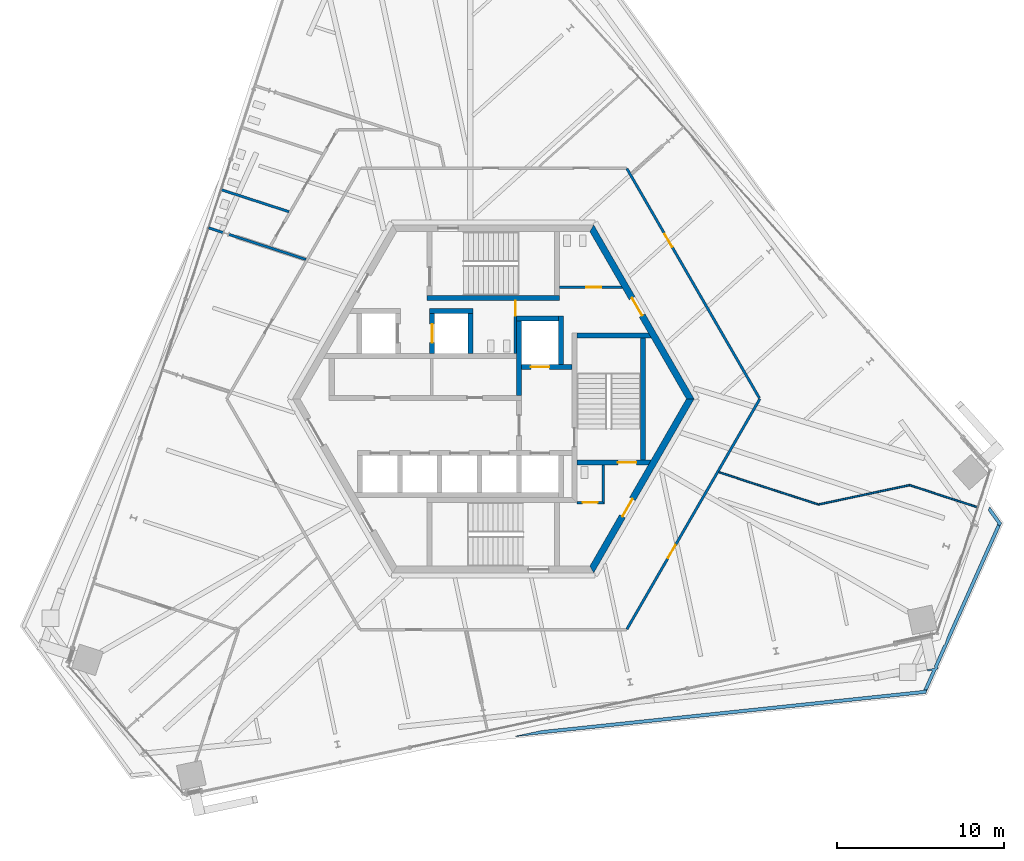
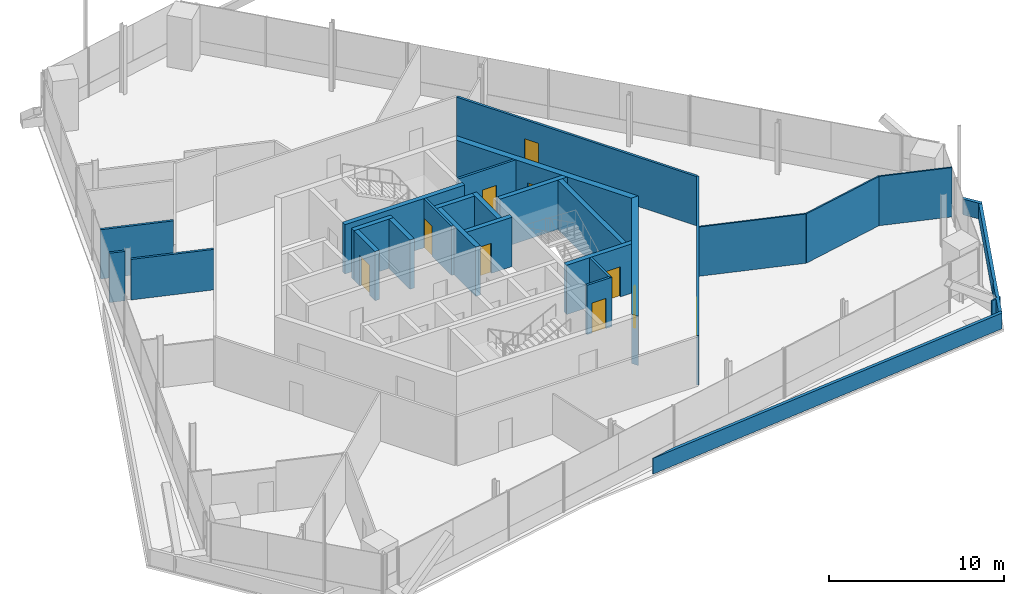
# One storey, part 15 of 20: 28 walls, 10 doors, 10 openings.
"""IFC4 building model written with IfcOpenShell, lengths in metres."""

import ifcopenshell
import ifcopenshell.guid

model = None  # the IFC model being written
_history = None  # IfcOwnerHistory: only IFC2X3 demands one
_inside = {}  # id of a spatial element -> (the spatial element, [elements in it])
_under = {}  # id of a project, library or spatial element -> (it, [spatial elements below it])
_declared = {}  # id of a project -> (the project, [libraries it declares])
_typed = {}  # id of a type object -> (the type object, [elements of that type])
_made_of = {}  # id of a material, layer set ... -> (it, [elements and type objects made of it])


def new_model(schema):
    """Start an empty IFC model of exactly this schema.

    Asked for "IFC4X3", IfcOpenShell would pick the latest addendum, in which some entities
    have other attributes; the version numbers below select the first issue.
    IFC2X3 requires an IfcOwnerHistory on every rooted entity: one is made here for all.
    """
    global model, _history
    if schema == "IFC4X3":
        model = ifcopenshell.file(schema_version=(4, 3, 0, 0))
    else:
        model = ifcopenshell.file(schema=schema)
    _inside.clear()
    _under.clear()
    _declared.clear()
    _typed.clear()
    _made_of.clear()
    _history = None
    if model.schema == "IFC2X3":
        org = make("IfcOrganization", Name="unknown")
        user = make(
            "IfcPersonAndOrganization",
            ThePerson=make("IfcPerson", FamilyName="unknown"),
            TheOrganization=org,
        )
        app = make(
            "IfcApplication",
            ApplicationDeveloper=org,
            Version="unknown",
            ApplicationFullName="unknown",
            ApplicationIdentifier="unknown",
        )
        _history = make(
            "IfcOwnerHistory",
            OwningUser=user,
            OwningApplication=app,
            ChangeAction="ADDED",
            CreationDate=0,
        )
    return model


def make(cls, **values):
    """One entity of the class cls with the attributes given. An attribute that is None is left unset."""
    return model.create_entity(
        cls, **{name: value for name, value in values.items() if value is not None}
    )


def rooted(cls, **values):
    """An entity with a GlobalId (a new one), such as an element, a storey or a relation."""
    return make(cls, GlobalId=ifcopenshell.guid.new(), OwnerHistory=_history, **values)


def si_unit(unit_type, name, prefix=None):
    """IfcSIUnit, for example si_unit("LENGTHUNIT", "METRE", prefix="MILLI")."""
    return make("IfcSIUnit", UnitType=unit_type, Prefix=prefix, Name=name)


def assignment(units):
    """IfcUnitAssignment: the units of a project."""
    return None if units is None else make("IfcUnitAssignment", Units=units)


def point(xyz):
    """IfcCartesianPoint."""
    return None if xyz is None else make("IfcCartesianPoint", Coordinates=xyz)


def direction(xyz):
    """IfcDirection."""
    return None if xyz is None else make("IfcDirection", DirectionRatios=xyz)


def frame(location, z_axis=None, x_axis=None):
    """IfcAxis2Placement3D, a coordinate frame: its origin and axes. An axis left out is left unset."""
    return make(
        "IfcAxis2Placement3D",
        Location=point(location),
        Axis=direction(z_axis),
        RefDirection=direction(x_axis),
    )


def frame_2d(location, x_axis=None):
    """IfcAxis2Placement2D, a coordinate frame in the plane: its origin and x axis."""
    return make(
        "IfcAxis2Placement2D", Location=point(location), RefDirection=direction(x_axis)
    )


def origin():
    """The frame at (0, 0, 0) with its axes left unset."""
    return frame((0.0, 0.0, 0.0))


def place(relative_to, where):
    """IfcLocalPlacement: puts the frame where relative to a parent placement (None: the world)."""
    return make(
        "IfcLocalPlacement", PlacementRelTo=relative_to, RelativePlacement=where
    )


def context(
    kind, dimensions, precision=None, world=None, true_north=None, identifier=None
):
    """IfcGeometricRepresentationContext, for example the 3D "Model" context."""
    return make(
        "IfcGeometricRepresentationContext",
        ContextIdentifier=identifier,
        ContextType=kind,
        CoordinateSpaceDimension=dimensions,
        Precision=precision,
        WorldCoordinateSystem=world,
        TrueNorth=true_north,
    )


def subcontext(parent, identifier, kind, view, scale=None):
    """IfcGeometricRepresentationSubContext, for example "Body" below "Model"."""
    return make(
        "IfcGeometricRepresentationSubContext",
        ContextIdentifier=identifier,
        ContextType=kind,
        ParentContext=parent,
        TargetScale=scale,
        TargetView=view,
    )


def project(units=None, contexts=None):
    """IfcProject with its units and contexts."""
    return rooted(
        "IfcProject",
        Name="project",
        RepresentationContexts=contexts,
        UnitsInContext=assignment(units),
    )


def spatial(cls, under=None, at=None, **own):
    """A site, building, storey or space (cls), placed at a placement, below another one or the project."""
    s = rooted(cls, ObjectPlacement=at, **own)
    if under is not None:
        _under.setdefault(under.id(), (under, []))[1].append(s)
    return s


def polyline(points):
    """IfcPolyline through the points."""
    return make("IfcPolyline", Points=[point(p) for p in points])


def profile(cls, at=None, kind="AREA", **sizes):
    """A parametric profile (cls). Its sizes go by their IFC names, for example OverallWidth=200.0."""
    return make(cls, ProfileType=kind, Position=at, **sizes)


def rectangle(**sizes):
    """IfcRectangleProfileDef."""
    return profile("IfcRectangleProfileDef", **sizes)


def outline(outer, holes=None, kind="AREA"):
    """IfcArbitraryClosedProfileDef: a profile drawn as a closed curve; with holes, ...WithVoids."""
    if holes is None:
        return make("IfcArbitraryClosedProfileDef", ProfileType=kind, OuterCurve=outer)
    return make(
        "IfcArbitraryProfileDefWithVoids",
        ProfileType=kind,
        OuterCurve=outer,
        InnerCurves=holes,
    )


def extrude(swept, where, along, depth):
    """IfcExtrudedAreaSolid: the profile swept, set in the frame where, extruded along a direction by depth."""
    return make(
        "IfcExtrudedAreaSolid",
        SweptArea=swept,
        Position=where,
        ExtrudedDirection=direction(along),
        Depth=depth,
    )


def shape(context_of_items, identifier, shape_type, items):
    """IfcShapeRepresentation: the items that make up one representation, for example the "Body"."""
    return make(
        "IfcShapeRepresentation",
        ContextOfItems=context_of_items,
        RepresentationIdentifier=identifier,
        RepresentationType=shape_type,
        Items=items,
    )


def source(mapping_origin, context_of_items, identifier, shape_type, items):
    """IfcRepresentationMap: a shape defined once, which mapped items show again and again."""
    return make(
        "IfcRepresentationMap",
        MappingOrigin=mapping_origin,
        MappedRepresentation=shape(context_of_items, identifier, shape_type, items),
    )


def transform(
    local_origin,
    x_axis=None,
    y_axis=None,
    z_axis=None,
    scale=None,
    scale2=None,
    scale3=None,
    uniform=True,
):
    """IfcCartesianTransformationOperator3D, or its non-uniform kind. x_axis, y_axis, z_axis: its Axis1, 2, 3."""
    if uniform:
        return make(
            "IfcCartesianTransformationOperator3D",
            Axis1=direction(x_axis),
            Axis2=direction(y_axis),
            LocalOrigin=point(local_origin),
            Scale=scale,
            Axis3=direction(z_axis),
        )
    return make(
        "IfcCartesianTransformationOperator3DnonUniform",
        Axis1=direction(x_axis),
        Axis2=direction(y_axis),
        LocalOrigin=point(local_origin),
        Scale=scale,
        Axis3=direction(z_axis),
        Scale2=scale2,
        Scale3=scale3,
    )


def mapped(mapping_source, mapping_target):
    """IfcMappedItem: shows the shape of a source again, moved by a transform."""
    return make(
        "IfcMappedItem", MappingSource=mapping_source, MappingTarget=mapping_target
    )


def material(Name=None, Category=None):
    """IfcMaterial."""
    return make("IfcMaterial", Name=Name, Category=Category)


def layer(
    of_material, thickness, ventilated=None, Name=None, Category=None, Priority=None
):
    """IfcMaterialLayer: one layer of a wall or slab, of a material (None: an air gap)."""
    return make(
        "IfcMaterialLayer",
        Material=of_material,
        LayerThickness=thickness,
        IsVentilated=ventilated,
        Name=Name,
        Category=Category,
        Priority=Priority,
    )


def layer_set(layers, Name=None):
    """IfcMaterialLayerSet."""
    return make("IfcMaterialLayerSet", MaterialLayers=layers, LayerSetName=Name)


def made_of(thing, what):
    """Note that an element or type object is made of a material, layer set ...; save() writes the relation."""
    if what is not None:
        _made_of.setdefault(what.id(), (what, []))[1].append(thing)
    return thing


def type_object(cls, material=None, **own):
    """A type object (cls), such as IfcWallType, which elements share."""
    return made_of(rooted(cls, **own), material)


def element(
    cls,
    number,
    at=None,
    inside=None,
    cuts=None,
    type_object=None,
    material=None,
    context=None,
    identifier="Body",
    shape_type=None,
    held_by="IfcProductDefinitionShape",
    body=None,
    shapes=None,
    **own,
):
    """One element of the class cls, such as IfcWall. Its Tag is "e" and its number.

    at: its placement. inside: the storey or other place that contains it. cuts: it is an
    opening in that element (IfcRelVoidsElement). A single representation is given by context,
    identifier, shape_type and body (its items); several are given by shapes. held_by: the class
    of the entity that holds the representations. save() writes the other relations.
    """
    e = rooted(cls, Tag="e%d" % number, ObjectPlacement=at, **own)
    if body is not None:
        shapes = [shape(context, identifier, shape_type, body)]
    if shapes is not None:
        e.Representation = make(held_by, Representations=shapes)
    if inside is not None:
        _inside.setdefault(inside.id(), (inside, []))[1].append(e)
    if cuts is not None:
        rooted(
            "IfcRelVoidsElement", RelatingBuildingElement=cuts, RelatedOpeningElement=e
        )
    if type_object is not None:
        _typed.setdefault(type_object.id(), (type_object, []))[1].append(e)
    return made_of(e, material)


def fill(opening, filler):
    """IfcRelFillsElement: the door or window that sits in an opening."""
    return rooted(
        "IfcRelFillsElement",
        RelatingOpeningElement=opening,
        RelatedBuildingElement=filler,
    )


def aggregate(whole, parts):
    """IfcRelAggregates: a whole, such as a stair, and the parts it consists of."""
    return rooted("IfcRelAggregates", RelatingObject=whole, RelatedObjects=parts)


def save(model, path):
    """Write the relations noted so far, then the file.

    IfcRelAggregates (storeys below a building ...), IfcRelContainedInSpatialStructure (elements
    in a storey), IfcRelDefinesByType, IfcRelAssociatesMaterial and IfcRelDeclares: one each for
    every whole, place, type object, material and project.
    """
    for whole, parts in _under.values():
        aggregate(whole, parts)
    for where, things in _inside.values():
        rooted(
            "IfcRelContainedInSpatialStructure",
            RelatedElements=things,
            RelatingStructure=where,
        )
    for kind, things in _typed.values():
        rooted("IfcRelDefinesByType", RelatedObjects=things, RelatingType=kind)
    for what, things in _made_of.values():
        rooted("IfcRelAssociatesMaterial", RelatedObjects=things, RelatingMaterial=what)
    for by, libraries in _declared.values():
        rooted("IfcRelDeclares", RelatingContext=by, RelatedDefinitions=libraries)
    model.write(path)


model = new_model("IFC4")

# Units and contexts
model_context = context("Model", 3, precision=1e-05, world=origin(), true_north=direction((0.0, 1.0)))
body_context = subcontext(model_context, "Body", "Model", "MODEL_VIEW")
ifc_project = project(units=[si_unit("LENGTHUNIT", "METRE"), si_unit("AREAUNIT", "SQUARE_METRE"), si_unit("VOLUMEUNIT", "CUBIC_METRE"), si_unit("PLANEANGLEUNIT", "RADIAN"), si_unit("MASSUNIT", "GRAM", prefix="KILO")], contexts=[model_context])

# Site, building, storey
site_placement = place(None, origin())
site = spatial("IfcSite", under=ifc_project, at=site_placement, CompositionType="ELEMENT")
building_placement = place(site_placement, origin())
building = spatial("IfcBuilding", under=site, at=building_placement, Name="Triune Harvest Tower", CompositionType="ELEMENT")
storey_placement = place(building_placement, frame((0.0, 0.0, 259.5)))
storey = spatial("IfcBuildingStorey", under=building, at=storey_placement, Name="L68", CompositionType="ELEMENT", Elevation=259.5)

# Walls
ifc_material_1 = material(Name="Concrete 40 MPa", Category="concrete")
ifc_layer_1 = layer(ifc_material_1, 0.199951171875)
ifc_layer_set_1 = layer_set([ifc_layer_1], Name="Concrete 40 MPa")
wall_type_1 = type_object("IfcWallType", Name="PA-1 parapet 200", PredefinedType="PARAPET", material=ifc_layer_set_1)
wall_1_placement = place(storey_placement, origin())
element("IfcWall", 1, at=wall_1_placement, inside=storey, type_object=wall_type_1, Name="Parapet wedge L67 3.1", PredefinedType="PARAPET", context=body_context, shape_type="SweptSolid", body=[
    extrude(outline(polyline([(30.127685546875, -7.469482421875), (30.13720703125, -7.4482421875), (29.572998046875, -6.672119140625), (29.6494140625, -6.43701171875), (30.366943359375, -7.42431640625), (30.31982421875, -7.52978515625), (30.222900390625, -7.60009765625), (30.127685546875, -7.469482421875)])), origin(), (0.0, 0.0, 1.0), 1.10009765625),
])
wall_2_placement = place(storey_placement, origin())
element("IfcWall", 2, at=wall_2_placement, inside=storey, type_object=wall_type_1, Name="Parapet wedge L67 3.2", PredefinedType="PARAPET", context=body_context, shape_type="SweptSolid", body=[
    extrude(outline(polyline([(1.318115234375, -20.17626953125), (1.313232421875, -20.147216796875), (2.90869140625, -19.80810546875), (25.700927734375, -17.412353515625), (25.710205078125, -17.391357421875), (25.87109375, -17.37451171875), (25.883544921875, -17.49365234375), (25.836669921875, -17.59912109375), (1.318115234375, -20.17626953125)])), origin(), (0.0, 0.0, 1.0), 1.10009765625),
])
wall_3_placement = place(storey_placement, origin())
element("IfcWall", 3, at=wall_3_placement, inside=storey, type_object=wall_type_1, Name="Parapet wedge L67 3.3", PredefinedType="PARAPET", context=body_context, shape_type="SweptSolid", body=[
    extrude(outline(polyline([(25.710205078125, -17.391357421875), (26.236572265625, -16.20947265625), (25.945068359375, -16.271240234375), (25.92578125, -16.1806640625), (26.381103515625, -16.083984375), (26.3525390625, -15.948974609375), (26.9052734375, -14.70751953125), (26.966552734375, -14.6943359375), (27.1162109375, -14.2333984375), (30.127685546875, -7.469482421875), (30.222900390625, -7.60009765625), (30.31982421875, -7.52978515625), (26.52490234375, -16.05322265625), (26.5615234375, -16.04541015625), (26.580810546875, -16.13623046875), (26.478271484375, -16.157958984375), (25.883544921875, -17.49365234375), (25.87109375, -17.37451171875), (25.710205078125, -17.391357421875)])), origin(), (0.0, 0.0, 1.0), 1.10009765625),
])
ifc_material_2 = material(Name="Gypsum board on steel studs", Category="steel")
ifc_layer_2 = layer(ifc_material_2, 0.10009765625)
ifc_layer_set_2 = layer_set([ifc_layer_2], Name="Gypsum board on steel studs")
wall_type_2 = type_object("IfcWallType", Name="Partition 100 mm", PredefinedType="PARTITIONING", material=ifc_layer_set_2)
wall_4_placement = place(storey_placement, frame((24.8623046875, -5.15087890625, 0.0), z_axis=(0.0, 0.0, 1.0), x_axis=(0.951057429822, -0.309014182815, 0.0)))
element("IfcWall", 4, at=wall_4_placement, inside=storey, type_object=wall_type_2, Name="Partition L68 010", PredefinedType="PARTITIONING", context=body_context, shape_type="SweptSolid", body=[
    extrude(rectangle(XDim=4.30029296875, YDim=0.10009765625, at=frame_2d((2.150146484375, 0.0))), origin(), (0.0, 0.0, 1.0), 3.43994140625),
])

# Wall, opening, door
ifc_material_3 = material(Name="Concrete 70 MPa", Category="concrete")
ifc_layer_3 = layer(ifc_material_3, 0.39990234375)
ifc_layer_set_3 = layer_set([ifc_layer_3], Name="Concrete 70 MPa")
wall_type_3 = type_object("IfcWallType", Name="Core wall 400", PredefinedType="SHEAR", material=ifc_layer_set_3)
shared_shape_1 = source(origin(), body_context, "Body", "SweptSolid", [
    extrude(outline(polyline([(-0.115478515625, -0.199951171875), (11.884521484375, -0.199951171875), (11.653564453125, 0.199951171875), (0.115478515625, 0.199951171875), (-0.115478515625, -0.199951171875)])), origin(), (0.0, 0.0, 1.0), 3.43994140625),
])
wall_5_placement = place(storey_placement, frame((11.76904296875, 0.0, 0.0), z_axis=(0.0, 0.0, 1.0), x_axis=(-0.499996592174, 0.866027371285, 0.0)))
wall_5 = element("IfcWall", 5, at=wall_5_placement, inside=storey, type_object=wall_type_3, Name="Hexagon 0 wall", PredefinedType="SHEAR", context=body_context, shape_type="MappedRepresentation", body=[
    mapped(shared_shape_1, transform((0.0, 0.0, 0.0), scale=1.0)),
])
opening_1_placement = place(wall_5_placement, frame((5.75048828125, 0.0, 0.0)))
opening_1 = element("IfcOpeningElement", 6, at=opening_1_placement, cuts=wall_5, Name="Opening CD-WCP", PredefinedType="OPENING", context=body_context, shape_type="SweptSolid", body=[
    extrude(rectangle(XDim=1.199951171875, YDim=2.10009765625, at=frame_2d((0.60009765625, 1.050048828125))), frame((0.0, 0.2099609375, 0.0), z_axis=(0.0, -1.0, 0.0), x_axis=(1.0, 0.0, 0.0)), (0.0, 0.0, 1.0), 0.419921875),
])
ifc_material_4 = material(Name="Steel S235", Category="steel")
door_type_1 = type_object("IfcDoorType", Name="Lobby door 1200 FD120", OperationType="SINGLE_SWING_LEFT", PredefinedType="DOOR", material=ifc_material_4)
door_1_placement = place(opening_1_placement, frame((1.199951171875, 0.0, 0.0), z_axis=(0.0, 0.0, 1.0), x_axis=(-1.0, 0.0, 0.0)))
door_1 = element("IfcDoor", 7, at=door_1_placement, inside=storey, type_object=door_type_1, Name="Door CD-WCP", OperationType="SINGLE_SWING_RIGHT", OverallHeight=2.10009765625, OverallWidth=1.199951171875, PredefinedType="DOOR", context=body_context, shape_type="SweptSolid", body=[
    extrude(rectangle(XDim=1.199951171875, YDim=2.10009765625, at=frame_2d((0.60009765625, 1.050048828125))), frame((0.0, 0.02490234375, 0.0), z_axis=(0.0, -1.0, 0.0), x_axis=(1.0, 0.0, 0.0)), (0.0, 0.0, 1.0), 0.050048828125),
])
fill(opening_1, door_1)

wall_6_placement = place(storey_placement, frame((5.884521484375, -10.1923828125, 0.0), z_axis=(0.0, 0.0, 1.0), x_axis=(0.499996592174, 0.866027371285, 0.0)))
wall_6 = element("IfcWall", 8, at=wall_6_placement, inside=storey, type_object=wall_type_3, Name="Hexagon 5 wall", PredefinedType="SHEAR", context=body_context, shape_type="MappedRepresentation", body=[
    mapped(shared_shape_1, transform((0.0, 0.0, 0.0), scale=1.0)),
])
opening_2_placement = place(wall_6_placement, frame((3.66455078125, 0.0, 0.0)))
opening_2 = element("IfcOpeningElement", 9, at=opening_2_placement, cuts=wall_6, Name="Opening CD-DP", PredefinedType="OPENING", context=body_context, shape_type="SweptSolid", body=[
    extrude(rectangle(XDim=1.199951171875, YDim=2.10009765625, at=frame_2d((0.60009765625, 1.050048828125))), frame((0.0, 0.2099609375, 0.0), z_axis=(0.0, -1.0, 0.0), x_axis=(1.0, 0.0, 0.0)), (0.0, 0.0, 1.0), 0.419921875),
])
ifc_material_5 = material(Name="Steel S235", Category="steel")
door_type_2 = type_object("IfcDoorType", Name="Stair door 1200 FD120", OperationType="SINGLE_SWING_LEFT", PredefinedType="DOOR", material=ifc_material_5)
door_2_placement = place(opening_2_placement, frame((1.199951171875, 0.0, 0.0), z_axis=(0.0, 0.0, 1.0), x_axis=(-1.0, 0.0, 0.0)))
door_2 = element("IfcDoor", 10, at=door_2_placement, inside=storey, type_object=door_type_2, Name="Door CD-DP", OperationType="SINGLE_SWING_RIGHT", OverallHeight=2.10009765625, OverallWidth=1.199951171875, PredefinedType="DOOR", context=body_context, shape_type="SweptSolid", body=[
    extrude(rectangle(XDim=1.199951171875, YDim=2.10009765625, at=frame_2d((0.60009765625, 1.050048828125))), frame((0.0, 0.02490234375, 0.0), z_axis=(0.0, -1.0, 0.0), x_axis=(1.0, 0.0, 0.0)), (0.0, 0.0, 1.0), 0.050048828125),
])
fill(opening_2, door_2)

# Walls
ifc_material_6 = material(Name="Concrete 70 MPa", Category="concrete")
ifc_layer_4 = layer(ifc_material_6, 0.300048828125)
ifc_layer_set_4 = layer_set([ifc_layer_4], Name="Concrete 70 MPa")
wall_type_4 = type_object("IfcWallType", Name="Core wall 300", PredefinedType="SHEAR", material=ifc_layer_set_4)
shared_shape_2 = source(origin(), body_context, "Body", "SweptSolid", [
    extrude(rectangle(XDim=2.5, YDim=0.300048828125, at=frame_2d((1.25, 0.0))), origin(), (0.0, 0.0, 1.0), 3.43994140625),
])
wall_7_placement = place(storey_placement, frame((1.39990234375, 4.81005859375, 0.0), z_axis=(0.0, 0.0, 1.0), x_axis=(1.0, 0.0, 0.0)))
element("IfcWall", 11, at=wall_7_placement, inside=storey, type_object=wall_type_4, Name="Ff1 back wall", PredefinedType="SHEAR", context=body_context, shape_type="MappedRepresentation", body=[
    mapped(shared_shape_2, transform((0.0, 0.0, 0.0), scale=1.0)),
])
shared_shape_3 = source(origin(), body_context, "Body", "SweptSolid", [
    extrude(rectangle(XDim=4.449951171875, YDim=0.300048828125, at=frame_2d((2.22509765625, 0.0))), origin(), (0.0, 0.0, 1.0), 3.43994140625),
])
wall_8_placement = place(storey_placement, frame((1.550048828125, 0.2099609375, 0.0), z_axis=(0.0, 0.0, 1.0), x_axis=(0.0, 1.0, 0.0)))
element("IfcWall", 12, at=wall_8_placement, inside=storey, type_object=wall_type_4, Name="Ff1 west wall", PredefinedType="SHEAR", context=body_context, shape_type="MappedRepresentation", body=[
    mapped(shared_shape_3, transform((0.0, 0.0, 0.0), scale=1.0)),
])

# Wall, opening, door
shared_shape_4 = source(origin(), body_context, "Body", "SweptSolid", [
    extrude(rectangle(XDim=3.0, YDim=0.300048828125, at=frame_2d((1.5, 0.0))), origin(), (0.0, 0.0, 1.0), 3.43994140625),
])
wall_9_placement = place(storey_placement, frame((1.699951171875, 1.909912109375, 0.0), z_axis=(0.0, 0.0, 1.0), x_axis=(1.0, 0.0, 0.0)))
wall_9 = element("IfcWall", 13, at=wall_9_placement, inside=storey, type_object=wall_type_4, Name="Ff1 front wall", PredefinedType="SHEAR", context=body_context, shape_type="MappedRepresentation", body=[
    mapped(shared_shape_4, transform((0.0, 0.0, 0.0), scale=1.0)),
])
opening_3_placement = place(wall_9_placement, frame((0.550048828125, 0.0, 0.0)))
opening_3 = element("IfcOpeningElement", 14, at=opening_3_placement, cuts=wall_9, Name="Opening LD-FF1-68", PredefinedType="OPENING", context=body_context, shape_type="SweptSolid", body=[
    extrude(rectangle(XDim=1.10009765625, YDim=2.10009765625, at=frame_2d((0.550048828125, 1.050048828125))), frame((0.0, 0.16015625, 0.0), z_axis=(0.0, -1.0, 0.0), x_axis=(1.0, 0.0, 0.0)), (0.0, 0.0, 1.0), 0.320068359375),
])
ifc_material_7 = material(Name="Stainless steel AISI 304", Category="steel")
door_type_3 = type_object("IfcDoorType", Name="Landing door 1100 x 2100", OperationType="DOUBLE_DOOR_SLIDING", PredefinedType="DOOR", material=ifc_material_7)
door_3_placement = place(opening_3_placement, origin())
door_3 = element("IfcDoor", 15, at=door_3_placement, inside=storey, type_object=door_type_3, Name="Door LD-FF1-68", OperationType="DOUBLE_DOOR_SLIDING", OverallHeight=2.10009765625, OverallWidth=1.10009765625, PredefinedType="DOOR", context=body_context, shape_type="SweptSolid", body=[
    extrude(rectangle(XDim=1.10009765625, YDim=2.10009765625, at=frame_2d((0.550048828125, 1.050048828125))), frame((0.0, 0.02490234375, 0.0), z_axis=(0.0, -1.0, 0.0), x_axis=(1.0, 0.0, 0.0)), (0.0, 0.0, 1.0), 0.050048828125),
])
fill(opening_3, door_3)

# Walls
shared_shape_5 = source(origin(), body_context, "Body", "SweptSolid", [
    extrude(rectangle(XDim=2.89990234375, YDim=0.300048828125, at=frame_2d((1.449951171875, 0.0))), origin(), (0.0, 0.0, 1.0), 3.43994140625),
])
wall_10_placement = place(storey_placement, frame((4.050048828125, 2.06005859375, 0.0), z_axis=(0.0, 0.0, 1.0), x_axis=(0.0, 1.0, 0.0)))
element("IfcWall", 16, at=wall_10_placement, inside=storey, type_object=wall_type_4, Name="Ff1 east wall", PredefinedType="SHEAR", context=body_context, shape_type="MappedRepresentation", body=[
    mapped(shared_shape_5, transform((0.0, 0.0, 0.0), scale=1.0)),
])
shared_shape_6 = source(origin(), body_context, "Body", "SweptSolid", [
    extrude(outline(polyline([(0.0, -0.14990234375), (0.0, 0.14990234375), (4.260009765625, 0.14990234375), (4.43310546875, -0.14990234375), (0.0, -0.14990234375)])), origin(), (0.0, 0.0, 1.0), 3.43994140625),
])
wall_11_placement = place(storey_placement, frame((5.0, 3.800048828125, 0.0), z_axis=(0.0, 0.0, 1.0), x_axis=(1.0, 0.0, 0.0)))
element("IfcWall", 17, at=wall_11_placement, inside=storey, type_object=wall_type_4, Name="Stair e north wall", PredefinedType="SHEAR", context=body_context, shape_type="MappedRepresentation", body=[
    mapped(shared_shape_6, transform((0.0, 0.0, 0.0), scale=1.0)),
])

# Wall, opening, door
shared_shape_7 = source(origin(), body_context, "Body", "SweptSolid", [
    extrude(outline(polyline([(0.0, -0.14990234375), (0.0, 0.14990234375), (4.43310546875, 0.14990234375), (4.260009765625, -0.14990234375), (0.0, -0.14990234375)])), origin(), (0.0, 0.0, 1.0), 3.43994140625),
])
wall_12_placement = place(storey_placement, frame((5.0, -3.800048828125, 0.0), z_axis=(0.0, 0.0, 1.0), x_axis=(1.0, 0.0, 0.0)))
wall_12 = element("IfcWall", 18, at=wall_12_placement, inside=storey, type_object=wall_type_4, Name="Stair e south wall", PredefinedType="SHEAR", context=body_context, shape_type="MappedRepresentation", body=[
    mapped(shared_shape_7, transform((0.0, 0.0, 0.0), scale=1.0)),
])
opening_4_placement = place(wall_12_placement, frame((2.449951171875, 0.0, 0.0)))
opening_4 = element("IfcOpeningElement", 19, at=opening_4_placement, cuts=wall_12, Name="Opening CD-S3D", PredefinedType="OPENING", context=body_context, shape_type="SweptSolid", body=[
    extrude(rectangle(XDim=1.10009765625, YDim=2.10009765625, at=frame_2d((0.550048828125, 1.050048828125))), frame((0.0, 0.16015625, 0.0), z_axis=(0.0, -1.0, 0.0), x_axis=(1.0, 0.0, 0.0)), (0.0, 0.0, 1.0), 0.320068359375),
])
ifc_material_8 = material(Name="Steel S235", Category="steel")
door_type_4 = type_object("IfcDoorType", Name="Stair door 1100 FD120", OperationType="SINGLE_SWING_LEFT", PredefinedType="DOOR", material=ifc_material_8)
door_4_placement = place(opening_4_placement, frame((1.10009765625, 0.0, 0.0), z_axis=(0.0, 0.0, 1.0), x_axis=(-1.0, 0.0, 0.0)))
door_4 = element("IfcDoor", 20, at=door_4_placement, inside=storey, type_object=door_type_4, Name="Door CD-S3D", OperationType="SINGLE_SWING_RIGHT", OverallHeight=2.10009765625, OverallWidth=1.10009765625, PredefinedType="DOOR", context=body_context, shape_type="SweptSolid", body=[
    extrude(rectangle(XDim=1.10009765625, YDim=2.10009765625, at=frame_2d((0.550048828125, 1.050048828125))), frame((0.0, 0.02490234375, 0.0), z_axis=(0.0, -1.0, 0.0), x_axis=(1.0, 0.0, 0.0)), (0.0, 0.0, 1.0), 0.050048828125),
])
fill(opening_4, door_4)

# Walls
shared_shape_8 = source(origin(), body_context, "Body", "SweptSolid", [
    extrude(rectangle(XDim=7.2998046875, YDim=0.300048828125, at=frame_2d((3.64990234375, 0.0))), origin(), (0.0, 0.0, 1.0), 3.43994140625),
])
wall_13_placement = place(storey_placement, frame((8.949951171875, -3.64990234375, 0.0), z_axis=(0.0, 0.0, 1.0), x_axis=(0.0, 1.0, 0.0)))
element("IfcWall", 21, at=wall_13_placement, inside=storey, type_object=wall_type_4, Name="Stair e east wall", PredefinedType="SHEAR", context=body_context, shape_type="MappedRepresentation", body=[
    mapped(shared_shape_8, transform((0.0, 0.0, 0.0), scale=1.0)),
])
shared_shape_9 = source(origin(), body_context, "Body", "SweptSolid", [
    extrude(rectangle(XDim=7.89990234375, YDim=0.300048828125, at=frame_2d((3.949951171875, 0.0))), origin(), (0.0, 0.0, 1.0), 3.43994140625),
])
wall_14_placement = place(storey_placement, frame((-3.949951171875, 6.0400390625, 0.0), z_axis=(0.0, 0.0, 1.0), x_axis=(1.0, 0.0, 0.0)))
element("IfcWall", 22, at=wall_14_placement, inside=storey, type_object=wall_type_4, Name="Stair n south wall", PredefinedType="SHEAR", context=body_context, shape_type="MappedRepresentation", body=[
    mapped(shared_shape_9, transform((0.0, 0.0, 0.0), scale=1.0)),
])

# Wall, opening, door
shared_shape_10 = source(origin(), body_context, "Body", "SweptSolid", [
    extrude(rectangle(XDim=2.400146484375, YDim=0.300048828125, at=frame_2d((1.2001953125, 0.0))), origin(), (0.0, 0.0, 1.0), 3.43994140625),
])
wall_15_placement = place(storey_placement, frame((-3.64990234375, 2.7099609375, 0.0), z_axis=(0.0, 0.0, 1.0), x_axis=(0.0, 1.0, 0.0)))
wall_15 = element("IfcWall", 23, at=wall_15_placement, inside=storey, type_object=wall_type_4, Name="Sv2 west wall", PredefinedType="SHEAR", context=body_context, shape_type="MappedRepresentation", body=[
    mapped(shared_shape_10, transform((0.0, 0.0, 0.0), scale=1.0)),
])
opening_5_placement = place(wall_15_placement, frame((0.64990234375, 0.0, 0.0)))
opening_5 = element("IfcOpeningElement", 24, at=opening_5_placement, cuts=wall_15, Name="Opening LD-SV2-68", PredefinedType="OPENING", context=body_context, shape_type="SweptSolid", body=[
    extrude(rectangle(XDim=1.10009765625, YDim=2.10009765625, at=frame_2d((0.550048828125, 1.050048828125))), frame((0.0, 0.16015625, 0.0), z_axis=(0.0, -1.0, 0.0), x_axis=(1.0, 0.0, 0.0)), (0.0, 0.0, 1.0), 0.320068359375),
])
door_5_placement = place(opening_5_placement, origin())
door_5 = element("IfcDoor", 25, at=door_5_placement, inside=storey, type_object=door_type_3, Name="Door LD-SV2-68", OperationType="DOUBLE_DOOR_SLIDING", OverallHeight=2.10009765625, OverallWidth=1.10009765625, PredefinedType="DOOR", context=body_context, shape_type="SweptSolid", body=[
    extrude(rectangle(XDim=1.10009765625, YDim=2.10009765625, at=frame_2d((0.550048828125, 1.050048828125))), frame((0.0, 0.02490234375, 0.0), z_axis=(0.0, -1.0, 0.0), x_axis=(1.0, 0.0, 0.0)), (0.0, 0.0, 1.0), 0.050048828125),
])
fill(opening_5, door_5)

# Walls
wall_16_placement = place(storey_placement, frame((-1.35009765625, 2.7099609375, 0.0), z_axis=(0.0, 0.0, 1.0), x_axis=(0.0, 1.0, 0.0)))
element("IfcWall", 26, at=wall_16_placement, inside=storey, type_object=wall_type_4, Name="Sv2 east wall", PredefinedType="SHEAR", context=body_context, shape_type="MappedRepresentation", body=[
    mapped(shared_shape_10, transform((0.0, 0.0, 0.0), scale=1.0)),
])
shared_shape_11 = source(origin(), body_context, "Body", "SweptSolid", [
    extrude(rectangle(XDim=2.60009765625, YDim=0.300048828125, at=frame_2d((1.300048828125, 0.0))), origin(), (0.0, 0.0, 1.0), 3.43994140625),
])
wall_17_placement = place(storey_placement, frame((-3.800048828125, 5.260009765625, 0.0), z_axis=(0.0, 0.0, 1.0), x_axis=(1.0, 0.0, 0.0)))
element("IfcWall", 27, at=wall_17_placement, inside=storey, type_object=wall_type_4, Name="Sv2 north wall", PredefinedType="SHEAR", context=body_context, shape_type="MappedRepresentation", body=[
    mapped(shared_shape_11, transform((0.0, 0.0, 0.0), scale=1.0)),
])

# Wall, opening, door
ifc_material_9 = material(Name="Concrete masonry unit", Category="masonry")
ifc_layer_5 = layer(ifc_material_9, 0.14990234375)
ifc_layer_set_5 = layer_set([ifc_layer_5], Name="Concrete masonry unit")
wall_type_5 = type_object("IfcWallType", Name="Block partition 150 unrated", PredefinedType="PARTITIONING", material=ifc_layer_set_5)
shared_shape_12 = source(origin(), body_context, "Body", "SweptSolid", [
    extrude(rectangle(XDim=3.179931640625, YDim=0.14990234375, at=frame_2d((1.58984375, 0.0))), origin(), (0.0, 0.0, 1.0), 3.43994140625),
])
wall_18_placement = place(storey_placement, frame((1.324951171875, 2.7099609375, 0.0), z_axis=(0.0, 0.0, 1.0), x_axis=(0.0, 1.0, 0.0)))
wall_18 = element("IfcWall", 28, at=wall_18_placement, inside=storey, type_object=wall_type_5, Name="Wc men east wall", PredefinedType="PARTITIONING", context=body_context, shape_type="MappedRepresentation", body=[
    mapped(shared_shape_12, transform((0.0, 0.0, 0.0), scale=1.0)),
])
opening_6_placement = place(wall_18_placement, frame((2.264892578125, 0.0, 0.0)))
opening_6 = element("IfcOpeningElement", 29, at=opening_6_placement, cuts=wall_18, Name="Opening CD-WM", PredefinedType="OPENING", context=body_context, shape_type="SweptSolid", body=[
    extrude(rectangle(XDim=0.89990234375, YDim=2.10009765625, at=frame_2d((0.449951171875, 1.050048828125))), frame((0.0, 0.0849609375, 0.0), z_axis=(0.0, -1.0, 0.0), x_axis=(1.0, 0.0, 0.0)), (0.0, 0.0, 1.0), 0.169921875),
])
ifc_material_10 = material(Name="Timber C24", Category="wood")
door_type_5 = type_object("IfcDoorType", Name="WC door 900", OperationType="SINGLE_SWING_LEFT", PredefinedType="DOOR", material=ifc_material_10)
door_6_placement = place(opening_6_placement, origin())
door_6 = element("IfcDoor", 30, at=door_6_placement, inside=storey, type_object=door_type_5, Name="Door CD-WM", OperationType="SINGLE_SWING_LEFT", OverallHeight=2.10009765625, OverallWidth=0.89990234375, PredefinedType="DOOR", context=body_context, shape_type="SweptSolid", body=[
    extrude(rectangle(XDim=0.89990234375, YDim=2.10009765625, at=frame_2d((0.449951171875, 1.050048828125))), frame((0.0, 0.02490234375, 0.0), z_axis=(0.0, -1.0, 0.0), x_axis=(1.0, 0.0, 0.0)), (0.0, 0.0, 1.0), 0.050048828125),
])
fill(opening_6, door_6)

shared_shape_13 = source(origin(), body_context, "Body", "SweptSolid", [
    extrude(outline(polyline([(0.0, -0.074951171875), (0.0, 0.074951171875), (3.693359375, 0.074951171875), (3.77978515625, -0.074951171875), (0.0, -0.074951171875)])), origin(), (0.0, 0.0, 1.0), 3.43994140625),
])
wall_19_placement = place(storey_placement, frame((3.949951171875, 6.675048828125, 0.0), z_axis=(0.0, 0.0, 1.0), x_axis=(1.0, 0.0, 0.0)))
wall_19 = element("IfcWall", 31, at=wall_19_placement, inside=storey, type_object=wall_type_5, Name="Wc women south wall", PredefinedType="PARTITIONING", context=body_context, shape_type="MappedRepresentation", body=[
    mapped(shared_shape_13, transform((0.0, 0.0, 0.0), scale=1.0)),
])
opening_7_placement = place(wall_19_placement, frame((1.60009765625, 0.0, 0.0)))
opening_7 = element("IfcOpeningElement", 32, at=opening_7_placement, cuts=wall_19, Name="Opening CD-WW", PredefinedType="OPENING", context=body_context, shape_type="SweptSolid", body=[
    extrude(rectangle(XDim=0.89990234375, YDim=2.10009765625, at=frame_2d((0.449951171875, 1.050048828125))), frame((0.0, 0.0849609375, 0.0), z_axis=(0.0, -1.0, 0.0), x_axis=(1.0, 0.0, 0.0)), (0.0, 0.0, 1.0), 0.169921875),
])
door_7_placement = place(opening_7_placement, origin())
door_7 = element("IfcDoor", 33, at=door_7_placement, inside=storey, type_object=door_type_5, Name="Door CD-WW", OperationType="SINGLE_SWING_LEFT", OverallHeight=2.10009765625, OverallWidth=0.89990234375, PredefinedType="DOOR", context=body_context, shape_type="SweptSolid", body=[
    extrude(rectangle(XDim=0.89990234375, YDim=2.10009765625, at=frame_2d((0.449951171875, 1.050048828125))), frame((0.0, 0.02490234375, 0.0), z_axis=(0.0, -1.0, 0.0), x_axis=(1.0, 0.0, 0.0)), (0.0, 0.0, 1.0), 0.050048828125),
])
fill(opening_7, door_7)

shared_shape_14 = source(origin(), body_context, "Body", "SweptSolid", [
    extrude(outline(polyline([(0.0, -0.074951171875), (1.64990234375, -0.074951171875), (1.5, 0.074951171875), (0.0, 0.074951171875), (0.0, -0.074951171875)])), origin(), (0.0, 0.0, 1.0), 3.43994140625),
])
wall_20_placement = place(storey_placement, frame((5.0, -6.18994140625, 0.0), z_axis=(0.0, 0.0, 1.0), x_axis=(1.0, 0.0, 0.0)))
wall_20 = element("IfcWall", 34, at=wall_20_placement, inside=storey, type_object=wall_type_5, Name="Wc acc south wall", PredefinedType="PARTITIONING", context=body_context, shape_type="MappedRepresentation", body=[
    mapped(shared_shape_14, transform((0.0, 0.0, 0.0), scale=1.0)),
])
opening_8_placement = place(wall_20_placement, frame((0.33740234375, 0.0, 0.0)))
opening_8 = element("IfcOpeningElement", 35, at=opening_8_placement, cuts=wall_20, Name="Opening CD-WA", PredefinedType="OPENING", context=body_context, shape_type="SweptSolid", body=[
    extrude(rectangle(XDim=0.89990234375, YDim=2.10009765625, at=frame_2d((0.449951171875, 1.050048828125))), frame((0.0, 0.0849609375, 0.0), z_axis=(0.0, -1.0, 0.0), x_axis=(1.0, 0.0, 0.0)), (0.0, 0.0, 1.0), 0.169921875),
])
door_8_placement = place(opening_8_placement, origin())
door_8 = element("IfcDoor", 36, at=door_8_placement, inside=storey, type_object=door_type_5, Name="Door CD-WA", OperationType="SINGLE_SWING_LEFT", OverallHeight=2.10009765625, OverallWidth=0.89990234375, PredefinedType="DOOR", context=body_context, shape_type="SweptSolid", body=[
    extrude(rectangle(XDim=0.89990234375, YDim=2.10009765625, at=frame_2d((0.449951171875, 1.050048828125))), frame((0.0, 0.02490234375, 0.0), z_axis=(0.0, -1.0, 0.0), x_axis=(1.0, 0.0, 0.0)), (0.0, 0.0, 1.0), 0.050048828125),
])
fill(opening_8, door_8)

# Wall
shared_shape_15 = source(origin(), body_context, "Body", "SweptSolid", [
    extrude(outline(polyline([(-0.074951171875, -0.074951171875), (2.239990234375, -0.074951171875), (2.239990234375, 0.074951171875), (0.074951171875, 0.074951171875), (-0.074951171875, -0.074951171875)])), origin(), (0.0, 0.0, 1.0), 3.43994140625),
])
wall_21_placement = place(storey_placement, frame((6.574951171875, -6.18994140625, 0.0), z_axis=(0.0, 0.0, 1.0), x_axis=(0.0, 1.0, 0.0)))
element("IfcWall", 37, at=wall_21_placement, inside=storey, type_object=wall_type_5, Name="Wc acc east wall", PredefinedType="PARTITIONING", context=body_context, shape_type="MappedRepresentation", body=[
    mapped(shared_shape_15, transform((0.0, 0.0, 0.0), scale=1.0)),
])

# Wall, opening, door
ifc_material_11 = material(Name="Gypsum board on steel studs", Category="steel")
ifc_layer_6 = layer(ifc_material_11, 0.14990234375)
ifc_layer_set_6 = layer_set([ifc_layer_6], Name="Gypsum board on steel studs")
wall_type_6 = type_object("IfcWallType", Name="Fire Partition 150 mm", PredefinedType="PARTITIONING", material=ifc_layer_set_6)
shared_shape_16 = source(origin(), body_context, "Body", "SweptSolid", [
    extrude(rectangle(XDim=15.83544921875, YDim=0.14990234375, at=frame_2d((7.917724609375, 0.0))), origin(), (0.0, 0.0, 1.0), 3.43994140625),
])
wall_22_placement = place(storey_placement, frame((7.983154296875, 13.757568359375, 0.0), z_axis=(0.0, 0.0, 1.0), x_axis=(0.500012495779, -0.866018189223, 0.0)))
wall_22 = element("IfcWall", 38, at=wall_22_placement, inside=storey, type_object=wall_type_6, Name="Partition L68 005", PredefinedType="PARTITIONING", context=body_context, shape_type="MappedRepresentation", body=[
    mapped(shared_shape_16, transform((0.0, 0.0, 0.0), scale=1.0)),
])
opening_9_placement = place(wall_22_placement, frame((4.5048828125, 0.0, 0.0)))
opening_9 = element("IfcOpeningElement", 39, at=opening_9_placement, cuts=wall_22, Name="Opening L68-001", PredefinedType="OPENING", context=body_context, shape_type="SweptSolid", body=[
    extrude(rectangle(XDim=0.89990234375, YDim=2.10009765625, at=frame_2d((0.449951171875, 1.050048828125))), frame((0.0, 0.0849609375, 0.0), z_axis=(0.0, -1.0, 0.0), x_axis=(1.0, 0.0, 0.0)), (0.0, 0.0, 1.0), 0.169921875),
])
ifc_material_12 = material(Name="Timber and steel door set", Category="steel")
door_type_6 = type_object("IfcDoorType", Name="Single leaf door FD30 left hand 900 x 2100", OperationType="SINGLE_SWING_LEFT", PredefinedType="DOOR", material=ifc_material_12)
door_9_placement = place(opening_9_placement, origin())
door_9 = element("IfcDoor", 40, at=door_9_placement, inside=storey, type_object=door_type_6, Name="Door L68-001 Executive Suite 68.01", OperationType="SINGLE_SWING_LEFT", OverallHeight=2.10009765625, OverallWidth=0.89990234375, PredefinedType="DOOR", context=body_context, shape_type="SweptSolid", body=[
    extrude(rectangle(XDim=0.89990234375, YDim=2.10009765625, at=frame_2d((0.449951171875, 1.050048828125))), frame((0.0, 0.02490234375, 0.0), z_axis=(0.0, -1.0, 0.0), x_axis=(1.0, 0.0, 0.0)), (0.0, 0.0, 1.0), 0.050048828125),
])
fill(opening_9, door_9)

# Walls
shared_shape_17 = source(origin(), body_context, "Body", "SweptSolid", [
    extrude(rectangle(XDim=6.244873046875, YDim=0.10009765625, at=frame_2d((3.12255859375, 0.0))), origin(), (0.0, 0.0, 1.0), 3.43994140625),
])
wall_23_placement = place(storey_placement, frame((13.476806640625, -4.37890625, 0.0), z_axis=(0.0, 0.0, 1.0), x_axis=(0.95106020959, -0.309005627352, 0.0)))
element("IfcWall", 41, at=wall_23_placement, inside=storey, type_object=wall_type_2, Name="Partition L68 009", PredefinedType="PARTITIONING", context=body_context, shape_type="MappedRepresentation", body=[
    mapped(shared_shape_17, transform((0.0, 0.0, 0.0), scale=1.0)),
])
shared_shape_18 = source(origin(), body_context, "Body", "SweptSolid", [
    extrude(rectangle(XDim=0.915283203125, YDim=0.14990234375, at=frame_2d((0.45751953125, 0.0))), origin(), (0.0, 0.0, 1.0), 3.43994140625),
])
wall_24_placement = place(storey_placement, frame((-17.00439453125, 10.21875, 0.0), z_axis=(0.0, 0.0, 1.0), x_axis=(0.951108522522, -0.308856889815, 0.0)))
element("IfcWall", 42, at=wall_24_placement, inside=storey, type_object=wall_type_6, Name="Partition L68 011", PredefinedType="PARTITIONING", context=body_context, shape_type="MappedRepresentation", body=[
    mapped(shared_shape_18, transform((0.0, 0.0, 0.0), scale=1.0)),
])
shared_shape_19 = source(origin(), body_context, "Body", "SweptSolid", [
    extrude(rectangle(XDim=4.852294921875, YDim=0.14990234375, at=frame_2d((2.42626953125, 0.0))), origin(), (0.0, 0.0, 1.0), 2.827880859375),
])
wall_25_placement = place(storey_placement, frame((-15.809814453125, 9.830810546875, 0.0), z_axis=(0.0, 0.0, 1.0), x_axis=(0.951051075925, -0.309033737611, 0.0)))
element("IfcWall", 43, at=wall_25_placement, inside=storey, type_object=wall_type_6, Name="Partition L68 012", PredefinedType="PARTITIONING", context=body_context, shape_type="MappedRepresentation", body=[
    mapped(shared_shape_19, transform((0.0, 0.0, 0.0), scale=1.0)),
])
shared_shape_20 = source(origin(), body_context, "Body", "SweptSolid", [
    extrude(rectangle(XDim=4.266845703125, YDim=0.14990234375, at=frame_2d((2.13330078125, 0.0))), origin(), (0.0, 0.0, 1.0), 3.43994140625),
])
wall_26_placement = place(storey_placement, frame((-16.2626953125, 12.501220703125, 0.0), z_axis=(0.0, 0.0, 1.0), x_axis=(0.951053408584, -0.309026558763, 0.0)))
element("IfcWall", 44, at=wall_26_placement, inside=storey, type_object=wall_type_6, Name="Partition L68 013", PredefinedType="PARTITIONING", context=body_context, shape_type="MappedRepresentation", body=[
    mapped(shared_shape_20, transform((0.0, 0.0, 0.0), scale=1.0)),
])
shared_shape_21 = source(origin(), body_context, "Body", "SweptSolid", [
    extrude(rectangle(XDim=5.55810546875, YDim=0.10009765625, at=frame_2d((2.779052734375, 0.0))), origin(), (0.0, 0.0, 1.0), 3.43994140625),
])
wall_27_placement = place(storey_placement, frame((19.42529296875, -6.30859375, 0.0), z_axis=(0.0, 0.0, 1.0), x_axis=(0.978160302138, 0.207851926432, 0.0)))
element("IfcWall", 45, at=wall_27_placement, inside=storey, type_object=wall_type_2, Name="Partition L68 021", PredefinedType="PARTITIONING", context=body_context, shape_type="MappedRepresentation", body=[
    mapped(shared_shape_21, transform((0.0, 0.0, 0.0), scale=1.0)),
])

# Wall, opening, door
shared_shape_22 = source(origin(), body_context, "Body", "SweptSolid", [
    extrude(rectangle(XDim=15.88623046875, YDim=0.14990234375, at=frame_2d((7.943115234375, 0.0))), origin(), (0.0, 0.0, 1.0), 3.43994140625),
])
wall_28_placement = place(storey_placement, frame((7.98291015625, -13.7578125, 0.0), z_axis=(0.0, 0.0, 1.0), x_axis=(0.500001816864, 0.866024354815, 0.0)))
wall_28 = element("IfcWall", 46, at=wall_28_placement, inside=storey, type_object=wall_type_6, Name="Partition L68 027", PredefinedType="PARTITIONING", context=body_context, shape_type="MappedRepresentation", body=[
    mapped(shared_shape_22, transform((0.0, 0.0, 0.0), scale=1.0)),
])
opening_10_placement = place(wall_28_placement, frame((4.909912109375, 0.0, 0.0)))
opening_10 = element("IfcOpeningElement", 47, at=opening_10_placement, cuts=wall_28, Name="Opening L68-013", PredefinedType="OPENING", context=body_context, shape_type="SweptSolid", body=[
    extrude(rectangle(XDim=0.89990234375, YDim=2.10009765625, at=frame_2d((0.449951171875, 1.050048828125))), frame((0.0, 0.0849609375, 0.0), z_axis=(0.0, -1.0, 0.0), x_axis=(1.0, 0.0, 0.0)), (0.0, 0.0, 1.0), 0.169921875),
])
ifc_material_13 = material(Name="Timber and steel door set", Category="steel")
door_type_7 = type_object("IfcDoorType", Name="Single leaf door FD30 right hand 900 x 2100", OperationType="SINGLE_SWING_RIGHT", PredefinedType="DOOR", material=ifc_material_13)
door_10_placement = place(opening_10_placement, origin())
door_10 = element("IfcDoor", 48, at=door_10_placement, inside=storey, type_object=door_type_7, Name="Door L68-013 Executive Suite 68.13", OperationType="SINGLE_SWING_RIGHT", OverallHeight=2.10009765625, OverallWidth=0.89990234375, PredefinedType="DOOR", context=body_context, shape_type="SweptSolid", body=[
    extrude(rectangle(XDim=0.89990234375, YDim=2.10009765625, at=frame_2d((0.449951171875, 1.050048828125))), frame((0.0, 0.02490234375, 0.0), z_axis=(0.0, -1.0, 0.0), x_axis=(1.0, 0.0, 0.0)), (0.0, 0.0, 1.0), 0.050048828125),
])
fill(opening_10, door_10)

save(model, "model.ifc")
